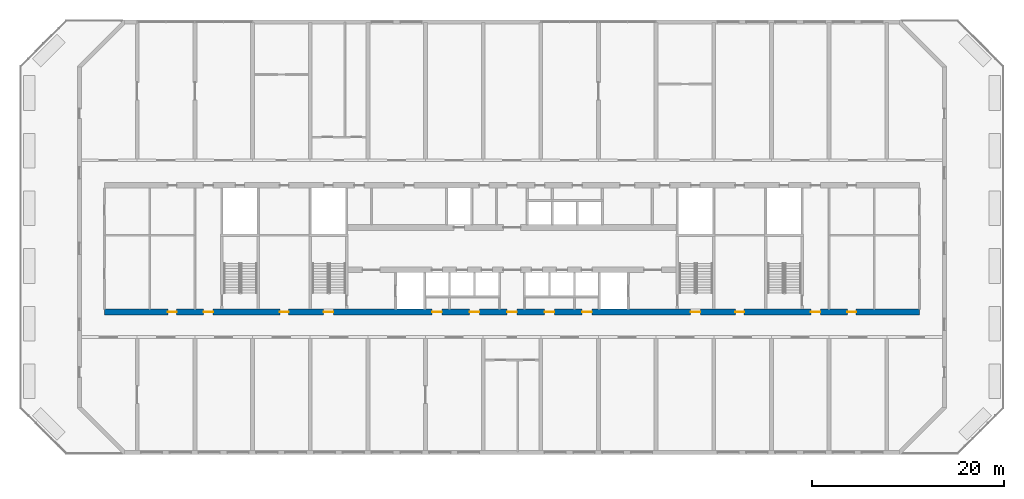
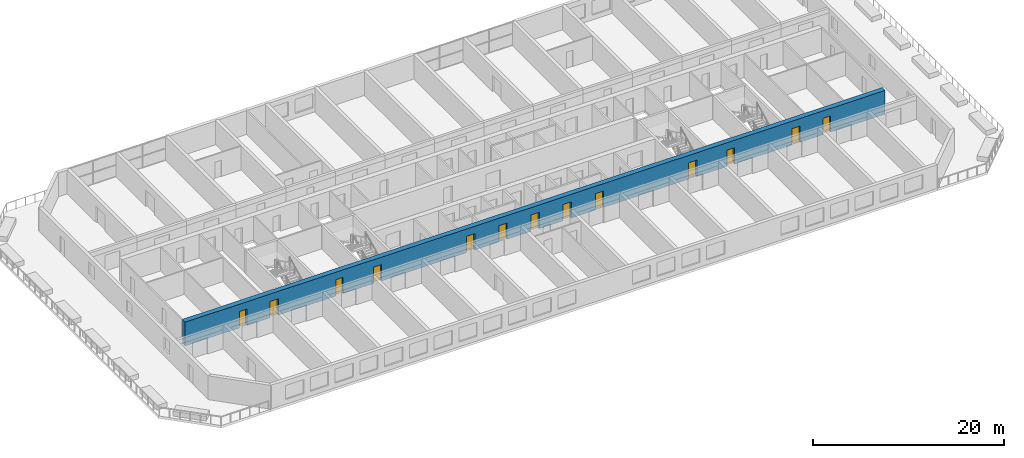
# One storey, part 10 of 21: 13 doors, 1 wall, 13 openings.
"""IFC4 building model written with IfcOpenShell, lengths in metres."""

from ifc_helpers import new_model, si_unit, direction, frame, frame_2d, origin, place, context, subcontext, project, spatial, rectangle, extrude, material, layer, layer_set, type_object, element, fill, save


model = new_model("IFC4")

# Units and contexts
model_context = context("Model", 3, precision=1e-05, world=origin(), true_north=direction((0.0, 1.0)))
body_context = subcontext(model_context, "Body", "Model", "MODEL_VIEW")
ifc_project = project(units=[si_unit("LENGTHUNIT", "METRE"), si_unit("AREAUNIT", "SQUARE_METRE"), si_unit("VOLUMEUNIT", "CUBIC_METRE"), si_unit("PLANEANGLEUNIT", "RADIAN"), si_unit("MASSUNIT", "GRAM", prefix="KILO")], contexts=[model_context])

# Site, building, storey
site_placement = place(None, origin())
site = spatial("IfcSite", under=ifc_project, at=site_placement, CompositionType="ELEMENT")
building_placement = place(site_placement, origin())
building = spatial("IfcBuilding", under=site, at=building_placement, Name="Poui Terraces", CompositionType="ELEMENT")
storey_placement = place(building_placement, frame((0.0, 0.0, 53.10009765625)))
storey = spatial("IfcBuildingStorey", under=building, at=storey_placement, Name="L14", CompositionType="ELEMENT", Elevation=53.10009765625)

# Wall, openings, doors
ifc_material_1 = material(Name="Concrete 80 MPa", Category="concrete")
ifc_layer = layer(ifc_material_1, 0.60009765625)
ifc_layer_set = layer_set([ifc_layer], Name="Concrete 80 MPa")
wall_type = type_object("IfcWallType", Name="SPINE WALL 600 80 MPA", PredefinedType="SOLIDWALL", material=ifc_layer_set)
wall_placement = place(storey_placement, frame((8.60009765625, 14.60009765625, 0.0), z_axis=(0.0, 0.0, 1.0), x_axis=(1.0, 0.0, 0.0)))
wall = element("IfcWall", 1, at=wall_placement, inside=storey, type_object=wall_type, Name="SPINE WALL", PredefinedType="SOLIDWALL", context=body_context, shape_type="SweptSolid", body=[
    extrude(rectangle(XDim=84.7998046875, YDim=0.60009765625, at=frame_2d((42.39990234375, 0.0))), origin(), (0.0, 0.0, 1.0), 3.0498046875),
])
opening_1_placement = place(wall_placement, frame((6.60009765625, 0.0, 0.0)))
opening_1 = element("IfcOpeningElement", 2, at=opening_1_placement, cuts=wall, Name="Opening D90", PredefinedType="OPENING", context=body_context, shape_type="SweptSolid", body=[
    extrude(rectangle(XDim=0.89990234375, YDim=2.10009765625, at=frame_2d((0.449951171875, 1.050048828125))), frame((0.0, 0.31005859375, 0.0), z_axis=(0.0, -1.0, 0.0), x_axis=(1.0, 0.0, 0.0)), (0.0, 0.0, 1.0), 0.6201171875),
])
opening_2_placement = place(wall_placement, frame((10.300048828125, 0.0, 0.0)))
opening_2 = element("IfcOpeningElement", 3, at=opening_2_placement, cuts=wall, Name="Opening FDL", PredefinedType="OPENING", context=body_context, shape_type="SweptSolid", body=[
    extrude(rectangle(XDim=1.0, YDim=2.10009765625, at=frame_2d((0.5, 1.050048828125))), frame((0.0, 0.31005859375, 0.0), z_axis=(0.0, -1.0, 0.0), x_axis=(1.0, 0.0, 0.0)), (0.0, 0.0, 1.0), 0.6201171875),
])
opening_3_placement = place(wall_placement, frame((18.25, 0.0, 0.0)))
opening_3 = element("IfcOpeningElement", 4, at=opening_3_placement, cuts=wall, Name="Opening D90", PredefinedType="OPENING", context=body_context, shape_type="SweptSolid", body=[
    extrude(rectangle(XDim=0.89990234375, YDim=2.10009765625, at=frame_2d((0.449951171875, 1.050048828125))), frame((0.0, 0.31005859375, 0.0), z_axis=(0.0, -1.0, 0.0), x_axis=(1.0, 0.0, 0.0)), (0.0, 0.0, 1.0), 0.6201171875),
])
opening_4_placement = place(wall_placement, frame((22.800048828125, 0.0, 0.0)))
opening_4 = element("IfcOpeningElement", 5, at=opening_4_placement, cuts=wall, Name="Opening FD60S", PredefinedType="OPENING", context=body_context, shape_type="SweptSolid", body=[
    extrude(rectangle(XDim=1.0, YDim=2.10009765625, at=frame_2d((0.5, 1.050048828125))), frame((0.0, 0.31005859375, 0.0), z_axis=(0.0, -1.0, 0.0), x_axis=(1.0, 0.0, 0.0)), (0.0, 0.0, 1.0), 0.6201171875),
])
opening_5_placement = place(wall_placement, frame((34.10009765625, 0.0, 0.0)))
opening_5 = element("IfcOpeningElement", 6, at=opening_5_placement, cuts=wall, Name="Opening FD60", PredefinedType="OPENING", context=body_context, shape_type="SweptSolid", body=[
    extrude(rectangle(XDim=1.0, YDim=2.10009765625, at=frame_2d((0.5, 1.050048828125))), frame((0.0, 0.31005859375, 0.0), z_axis=(0.0, -1.0, 0.0), x_axis=(1.0, 0.0, 0.0)), (0.0, 0.0, 1.0), 0.6201171875),
])
opening_6_placement = place(wall_placement, frame((38.0, 0.0, 0.0)))
opening_6 = element("IfcOpeningElement", 7, at=opening_6_placement, cuts=wall, Name="Opening FD60", PredefinedType="OPENING", context=body_context, shape_type="SweptSolid", body=[
    extrude(rectangle(XDim=1.0, YDim=2.10009765625, at=frame_2d((0.5, 1.050048828125))), frame((0.0, 0.31005859375, 0.0), z_axis=(0.0, -1.0, 0.0), x_axis=(1.0, 0.0, 0.0)), (0.0, 0.0, 1.0), 0.6201171875),
])
opening_7_placement = place(wall_placement, frame((41.89990234375, 0.0, 0.0)))
opening_7 = element("IfcOpeningElement", 8, at=opening_7_placement, cuts=wall, Name="Opening FDL", PredefinedType="OPENING", context=body_context, shape_type="SweptSolid", body=[
    extrude(rectangle(XDim=1.0, YDim=2.10009765625, at=frame_2d((0.5, 1.050048828125))), frame((0.0, 0.31005859375, 0.0), z_axis=(0.0, -1.0, 0.0), x_axis=(1.0, 0.0, 0.0)), (0.0, 0.0, 1.0), 0.6201171875),
])
opening_8_placement = place(wall_placement, frame((45.800048828125, 0.0, 0.0)))
opening_8 = element("IfcOpeningElement", 9, at=opening_8_placement, cuts=wall, Name="Opening FD60", PredefinedType="OPENING", context=body_context, shape_type="SweptSolid", body=[
    extrude(rectangle(XDim=1.0, YDim=2.10009765625, at=frame_2d((0.5, 1.050048828125))), frame((0.0, 0.31005859375, 0.0), z_axis=(0.0, -1.0, 0.0), x_axis=(1.0, 0.0, 0.0)), (0.0, 0.0, 1.0), 0.6201171875),
])
opening_9_placement = place(wall_placement, frame((49.699951171875, 0.0, 0.0)))
opening_9 = element("IfcOpeningElement", 10, at=opening_9_placement, cuts=wall, Name="Opening FD60", PredefinedType="OPENING", context=body_context, shape_type="SweptSolid", body=[
    extrude(rectangle(XDim=1.0, YDim=2.10009765625, at=frame_2d((0.5, 1.050048828125))), frame((0.0, 0.31005859375, 0.0), z_axis=(0.0, -1.0, 0.0), x_axis=(1.0, 0.0, 0.0)), (0.0, 0.0, 1.0), 0.6201171875),
])
opening_10_placement = place(wall_placement, frame((61.0, 0.0, 0.0)))
opening_10 = element("IfcOpeningElement", 11, at=opening_10_placement, cuts=wall, Name="Opening FD60S", PredefinedType="OPENING", context=body_context, shape_type="SweptSolid", body=[
    extrude(rectangle(XDim=1.0, YDim=2.10009765625, at=frame_2d((0.5, 1.050048828125))), frame((0.0, 0.31005859375, 0.0), z_axis=(0.0, -1.0, 0.0), x_axis=(1.0, 0.0, 0.0)), (0.0, 0.0, 1.0), 0.6201171875),
])
opening_11_placement = place(wall_placement, frame((65.64990234375, 0.0, 0.0)))
opening_11 = element("IfcOpeningElement", 12, at=opening_11_placement, cuts=wall, Name="Opening D90", PredefinedType="OPENING", context=body_context, shape_type="SweptSolid", body=[
    extrude(rectangle(XDim=0.89990234375, YDim=2.10009765625, at=frame_2d((0.449951171875, 1.050048828125))), frame((0.0, 0.31005859375, 0.0), z_axis=(0.0, -1.0, 0.0), x_axis=(1.0, 0.0, 0.0)), (0.0, 0.0, 1.0), 0.6201171875),
])
opening_12_placement = place(wall_placement, frame((73.5, 0.0, 0.0)))
opening_12 = element("IfcOpeningElement", 13, at=opening_12_placement, cuts=wall, Name="Opening FDL", PredefinedType="OPENING", context=body_context, shape_type="SweptSolid", body=[
    extrude(rectangle(XDim=1.0, YDim=2.10009765625, at=frame_2d((0.5, 1.050048828125))), frame((0.0, 0.31005859375, 0.0), z_axis=(0.0, -1.0, 0.0), x_axis=(1.0, 0.0, 0.0)), (0.0, 0.0, 1.0), 0.6201171875),
])
opening_13_placement = place(wall_placement, frame((77.300048828125, 0.0, 0.0)))
opening_13 = element("IfcOpeningElement", 14, at=opening_13_placement, cuts=wall, Name="Opening D90", PredefinedType="OPENING", context=body_context, shape_type="SweptSolid", body=[
    extrude(rectangle(XDim=0.89990234375, YDim=2.10009765625, at=frame_2d((0.449951171875, 1.050048828125))), frame((0.0, 0.31005859375, 0.0), z_axis=(0.0, -1.0, 0.0), x_axis=(1.0, 0.0, 0.0)), (0.0, 0.0, 1.0), 0.6201171875),
])
ifc_material_2 = material(Name="Solid core timber door", Category="wood")
door_type_1 = type_object("IfcDoorType", Name="INTERNAL DOOR 900 X 2100", OperationType="NOTDEFINED", PredefinedType="DOOR", material=ifc_material_2)
door_1_placement = place(opening_1_placement, frame((0.89990234375, 0.0, 0.0), z_axis=(0.0, 0.0, 1.0), x_axis=(-1.0, 0.0, 0.0)))
door_1 = element("IfcDoor", 15, at=door_1_placement, inside=storey, type_object=door_type_1, Name="INTERNAL DOOR 038", OperationType="SINGLE_SWING_RIGHT", OverallHeight=2.10009765625, OverallWidth=0.89990234375, PredefinedType="DOOR", context=body_context, shape_type="SweptSolid", body=[
    extrude(rectangle(XDim=0.89990234375, YDim=2.10009765625, at=frame_2d((0.449951171875, 1.050048828125))), frame((0.0, 0.02490234375, 0.0), z_axis=(0.0, -1.0, 0.0), x_axis=(1.0, 0.0, 0.0)), (0.0, 0.0, 1.0), 0.050048828125),
])
fill(opening_1, door_1)
door_2_placement = place(opening_3_placement, frame((0.89990234375, 0.0, 0.0), z_axis=(0.0, 0.0, 1.0), x_axis=(-1.0, 0.0, 0.0)))
door_2 = element("IfcDoor", 16, at=door_2_placement, inside=storey, type_object=door_type_1, Name="INTERNAL DOOR 042", OperationType="SINGLE_SWING_LEFT", OverallHeight=2.10009765625, OverallWidth=0.89990234375, PredefinedType="DOOR", context=body_context, shape_type="SweptSolid", body=[
    extrude(rectangle(XDim=0.89990234375, YDim=2.10009765625, at=frame_2d((0.449951171875, 1.050048828125))), frame((0.0, 0.02490234375, 0.0), z_axis=(0.0, -1.0, 0.0), x_axis=(1.0, 0.0, 0.0)), (0.0, 0.0, 1.0), 0.050048828125),
])
fill(opening_3, door_2)
door_3_placement = place(opening_11_placement, frame((0.89990234375, 0.0, 0.0), z_axis=(0.0, 0.0, 1.0), x_axis=(-1.0, 0.0, 0.0)))
door_3 = element("IfcDoor", 17, at=door_3_placement, inside=storey, type_object=door_type_1, Name="INTERNAL DOOR 057", OperationType="SINGLE_SWING_LEFT", OverallHeight=2.10009765625, OverallWidth=0.89990234375, PredefinedType="DOOR", context=body_context, shape_type="SweptSolid", body=[
    extrude(rectangle(XDim=0.89990234375, YDim=2.10009765625, at=frame_2d((0.449951171875, 1.050048828125))), frame((0.0, 0.02490234375, 0.0), z_axis=(0.0, -1.0, 0.0), x_axis=(1.0, 0.0, 0.0)), (0.0, 0.0, 1.0), 0.050048828125),
])
fill(opening_11, door_3)
door_4_placement = place(opening_13_placement, frame((0.89990234375, 0.0, 0.0), z_axis=(0.0, 0.0, 1.0), x_axis=(-1.0, 0.0, 0.0)))
door_4 = element("IfcDoor", 18, at=door_4_placement, inside=storey, type_object=door_type_1, Name="INTERNAL DOOR 061", OperationType="SINGLE_SWING_LEFT", OverallHeight=2.10009765625, OverallWidth=0.89990234375, PredefinedType="DOOR", context=body_context, shape_type="SweptSolid", body=[
    extrude(rectangle(XDim=0.89990234375, YDim=2.10009765625, at=frame_2d((0.449951171875, 1.050048828125))), frame((0.0, 0.02490234375, 0.0), z_axis=(0.0, -1.0, 0.0), x_axis=(1.0, 0.0, 0.0)), (0.0, 0.0, 1.0), 0.050048828125),
])
fill(opening_13, door_4)
ifc_material_3 = material(Name="Steel fire door", Category="steel")
door_type_2 = type_object("IfcDoorType", Name="LOBBY FIRE DOOR 1000 X 2100", OperationType="NOTDEFINED", PredefinedType="DOOR", material=ifc_material_3)
door_5_placement = place(opening_2_placement, frame((1.0, 0.0, 0.0), z_axis=(0.0, 0.0, 1.0), x_axis=(-1.0, 0.0, 0.0)))
door_5 = element("IfcDoor", 19, at=door_5_placement, inside=storey, type_object=door_type_2, Name="LOBBY FIRE DOOR 039", OperationType="SINGLE_SWING_RIGHT", OverallHeight=2.10009765625, OverallWidth=1.0, PredefinedType="DOOR", context=body_context, shape_type="SweptSolid", body=[
    extrude(rectangle(XDim=1.0, YDim=2.10009765625, at=frame_2d((0.5, 1.050048828125))), frame((0.0, 0.02490234375, 0.0), z_axis=(0.0, -1.0, 0.0), x_axis=(1.0, 0.0, 0.0)), (0.0, 0.0, 1.0), 0.050048828125),
])
fill(opening_2, door_5)
door_6_placement = place(opening_7_placement, frame((1.0, 0.0, 0.0), z_axis=(0.0, 0.0, 1.0), x_axis=(-1.0, 0.0, 0.0)))
door_6 = element("IfcDoor", 20, at=door_6_placement, inside=storey, type_object=door_type_2, Name="LOBBY FIRE DOOR 050", OperationType="SINGLE_SWING_LEFT", OverallHeight=2.10009765625, OverallWidth=1.0, PredefinedType="DOOR", context=body_context, shape_type="SweptSolid", body=[
    extrude(rectangle(XDim=1.0, YDim=2.10009765625, at=frame_2d((0.5, 1.050048828125))), frame((0.0, 0.02490234375, 0.0), z_axis=(0.0, -1.0, 0.0), x_axis=(1.0, 0.0, 0.0)), (0.0, 0.0, 1.0), 0.050048828125),
])
fill(opening_7, door_6)
door_7_placement = place(opening_12_placement, frame((1.0, 0.0, 0.0), z_axis=(0.0, 0.0, 1.0), x_axis=(-1.0, 0.0, 0.0)))
door_7 = element("IfcDoor", 21, at=door_7_placement, inside=storey, type_object=door_type_2, Name="LOBBY FIRE DOOR 060", OperationType="SINGLE_SWING_LEFT", OverallHeight=2.10009765625, OverallWidth=1.0, PredefinedType="DOOR", context=body_context, shape_type="SweptSolid", body=[
    extrude(rectangle(XDim=1.0, YDim=2.10009765625, at=frame_2d((0.5, 1.050048828125))), frame((0.0, 0.02490234375, 0.0), z_axis=(0.0, -1.0, 0.0), x_axis=(1.0, 0.0, 0.0)), (0.0, 0.0, 1.0), 0.050048828125),
])
fill(opening_12, door_7)
door_type_3 = type_object("IfcDoorType", Name="SERVICE ROOM FIRE DOOR 1000 X 2100", OperationType="NOTDEFINED", PredefinedType="DOOR", material=ifc_material_3)
door_8_placement = place(opening_5_placement, frame((1.0, 0.0, 0.0), z_axis=(0.0, 0.0, 1.0), x_axis=(-1.0, 0.0, 0.0)))
door_8 = element("IfcDoor", 22, at=door_8_placement, inside=storey, type_object=door_type_3, Name="SERVICE ROOM FIRE DOOR 046", OperationType="SINGLE_SWING_LEFT", OverallHeight=2.10009765625, OverallWidth=1.0, PredefinedType="DOOR", context=body_context, shape_type="SweptSolid", body=[
    extrude(rectangle(XDim=1.0, YDim=2.10009765625, at=frame_2d((0.5, 1.050048828125))), frame((0.0, 0.02490234375, 0.0), z_axis=(0.0, -1.0, 0.0), x_axis=(1.0, 0.0, 0.0)), (0.0, 0.0, 1.0), 0.050048828125),
])
fill(opening_5, door_8)
door_9_placement = place(opening_6_placement, frame((1.0, 0.0, 0.0), z_axis=(0.0, 0.0, 1.0), x_axis=(-1.0, 0.0, 0.0)))
door_9 = element("IfcDoor", 23, at=door_9_placement, inside=storey, type_object=door_type_3, Name="SERVICE ROOM FIRE DOOR 048", OperationType="SINGLE_SWING_RIGHT", OverallHeight=2.10009765625, OverallWidth=1.0, PredefinedType="DOOR", context=body_context, shape_type="SweptSolid", body=[
    extrude(rectangle(XDim=1.0, YDim=2.10009765625, at=frame_2d((0.5, 1.050048828125))), frame((0.0, 0.02490234375, 0.0), z_axis=(0.0, -1.0, 0.0), x_axis=(1.0, 0.0, 0.0)), (0.0, 0.0, 1.0), 0.050048828125),
])
fill(opening_6, door_9)
door_10_placement = place(opening_8_placement, frame((1.0, 0.0, 0.0), z_axis=(0.0, 0.0, 1.0), x_axis=(-1.0, 0.0, 0.0)))
door_10 = element("IfcDoor", 24, at=door_10_placement, inside=storey, type_object=door_type_3, Name="SERVICE ROOM FIRE DOOR 051", OperationType="SINGLE_SWING_LEFT", OverallHeight=2.10009765625, OverallWidth=1.0, PredefinedType="DOOR", context=body_context, shape_type="SweptSolid", body=[
    extrude(rectangle(XDim=1.0, YDim=2.10009765625, at=frame_2d((0.5, 1.050048828125))), frame((0.0, 0.02490234375, 0.0), z_axis=(0.0, -1.0, 0.0), x_axis=(1.0, 0.0, 0.0)), (0.0, 0.0, 1.0), 0.050048828125),
])
fill(opening_8, door_10)
door_11_placement = place(opening_9_placement, frame((1.0, 0.0, 0.0), z_axis=(0.0, 0.0, 1.0), x_axis=(-1.0, 0.0, 0.0)))
door_11 = element("IfcDoor", 25, at=door_11_placement, inside=storey, type_object=door_type_3, Name="SERVICE ROOM FIRE DOOR 053", OperationType="SINGLE_SWING_RIGHT", OverallHeight=2.10009765625, OverallWidth=1.0, PredefinedType="DOOR", context=body_context, shape_type="SweptSolid", body=[
    extrude(rectangle(XDim=1.0, YDim=2.10009765625, at=frame_2d((0.5, 1.050048828125))), frame((0.0, 0.02490234375, 0.0), z_axis=(0.0, -1.0, 0.0), x_axis=(1.0, 0.0, 0.0)), (0.0, 0.0, 1.0), 0.050048828125),
])
fill(opening_9, door_11)
door_type_4 = type_object("IfcDoorType", Name="STAIR DOOR 1000 X 2100", OperationType="NOTDEFINED", PredefinedType="DOOR", material=ifc_material_3)
door_12_placement = place(opening_4_placement, origin())
door_12 = element("IfcDoor", 26, at=door_12_placement, inside=storey, type_object=door_type_4, Name="STAIR DOOR 043", OperationType="SINGLE_SWING_RIGHT", OverallHeight=2.10009765625, OverallWidth=1.0, PredefinedType="DOOR", context=body_context, shape_type="SweptSolid", body=[
    extrude(rectangle(XDim=1.0, YDim=2.10009765625, at=frame_2d((0.5, 1.050048828125))), frame((0.0, 0.02490234375, 0.0), z_axis=(0.0, -1.0, 0.0), x_axis=(1.0, 0.0, 0.0)), (0.0, 0.0, 1.0), 0.050048828125),
])
fill(opening_4, door_12)
door_13_placement = place(opening_10_placement, origin())
door_13 = element("IfcDoor", 27, at=door_13_placement, inside=storey, type_object=door_type_4, Name="STAIR DOOR 056", OperationType="SINGLE_SWING_RIGHT", OverallHeight=2.10009765625, OverallWidth=1.0, PredefinedType="DOOR", context=body_context, shape_type="SweptSolid", body=[
    extrude(rectangle(XDim=1.0, YDim=2.10009765625, at=frame_2d((0.5, 1.050048828125))), frame((0.0, 0.02490234375, 0.0), z_axis=(0.0, -1.0, 0.0), x_axis=(1.0, 0.0, 0.0)), (0.0, 0.0, 1.0), 0.050048828125),
])
fill(opening_10, door_13)

save(model, "model.ifc")
